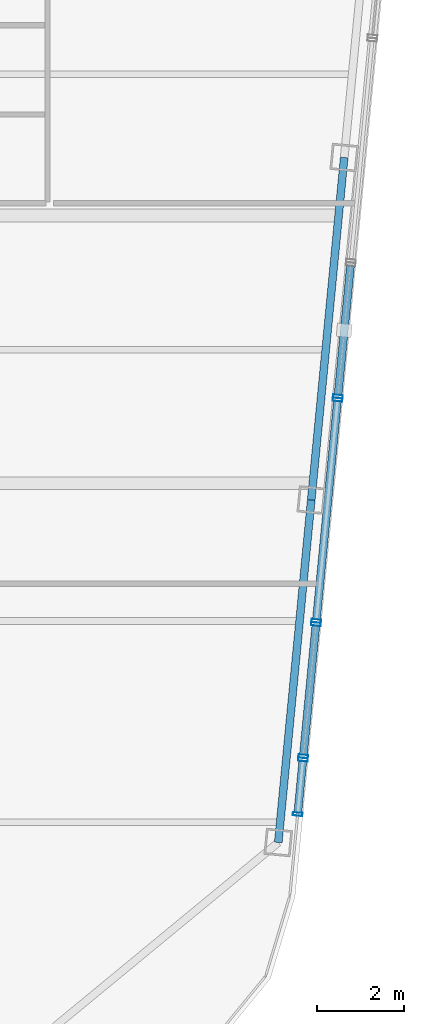
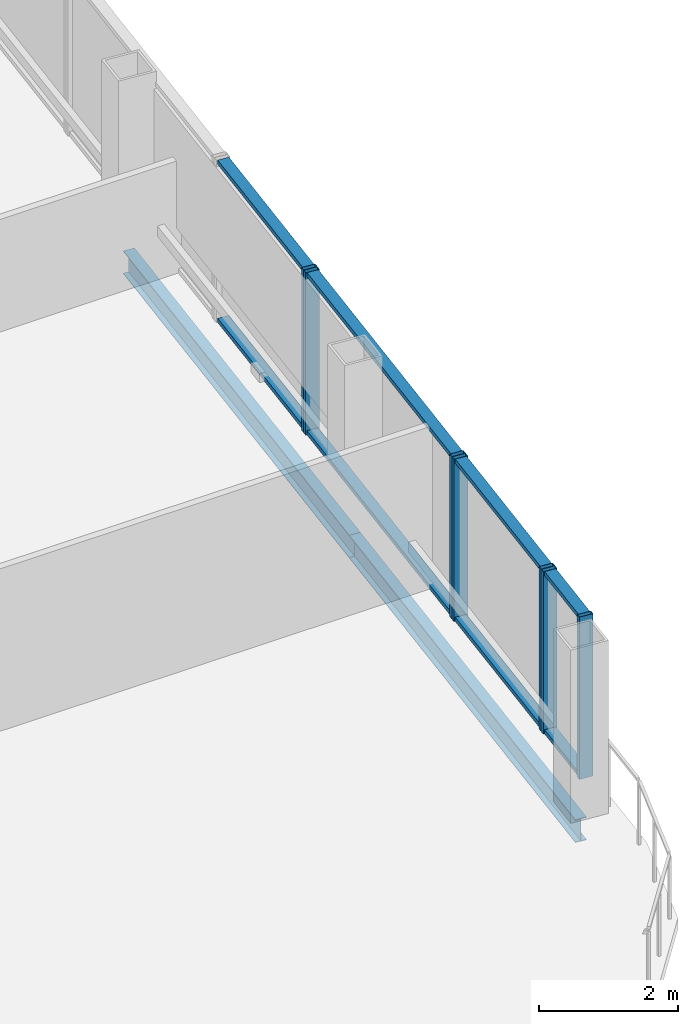
# One storey, part 13 of 26: 15 members, 2 beams, 4 elements without a shape of their own.
"""IFC4 building model written with IfcOpenShell, lengths in metres."""

from ifc_helpers import new_model, si_unit, direction, frame, origin, origin_2d, place, context, subcontext, project, spatial, hollow_rectangle, i_section, extrude, material, layer, layer_set, material_profile, profile_set, type_object, element, aggregate, save


model = new_model("IFC4")

# Units and contexts
model_context = context("Model", 3, precision=1e-05, world=origin(), true_north=direction((0.0, 1.0)))
body_context = subcontext(model_context, "Body", "Model", "MODEL_VIEW")
ifc_project = project(units=[si_unit("LENGTHUNIT", "METRE"), si_unit("AREAUNIT", "SQUARE_METRE"), si_unit("VOLUMEUNIT", "CUBIC_METRE"), si_unit("PLANEANGLEUNIT", "RADIAN"), si_unit("MASSUNIT", "GRAM", prefix="KILO")], contexts=[model_context])

# Site, building, storey
site_placement = place(None, origin())
site = spatial("IfcSite", under=ifc_project, at=site_placement, CompositionType="ELEMENT")
building_placement = place(site_placement, origin())
building = spatial("IfcBuilding", under=site, at=building_placement, Name="Qhalaya Broadcast Tower", CompositionType="ELEMENT")
storey_placement = place(building_placement, frame((0.0, 0.0, 248.949951171875)))
storey = spatial("IfcBuildingStorey", under=building, at=storey_placement, Name="L73", CompositionType="ELEMENT", Elevation=248.949951171875)

# Curtain wall, members
ifc_material_1 = material(Name="Fired Architectural Terracotta", Category="masonry")
ifc_layer_1 = layer(ifc_material_1, 0.219970703125, Name="Fired Architectural Terracotta")
ifc_layer_set_1 = layer_set([ifc_layer_1], Name="Fired Architectural Terracotta")
curtain_wall_type_1 = type_object("IfcCurtainWallType", Name="Block-Cap Unitised Terracotta Spandrel Wall CW-07", PredefinedType="NOTDEFINED", material=ifc_layer_set_1)
curtain_wall_1_placement = place(storey_placement, origin())
curtain_wall_1 = element("IfcCurtainWall", 1, at=curtain_wall_1_placement, inside=storey, type_object=curtain_wall_type_1, Name="L73 Unitised Curtain Wall L73-CW-E1", PredefinedType="NOTDEFINED")
ifc_material_2 = material(Name="Anodised Aluminium 6063-T6", Category="aluminium")
ifc_material_profile_1 = material_profile(ifc_material_2, hollow_rectangle(XDim=0.074951171875, YDim=0.219970703125, WallThickness=0.00390625, at=origin_2d()), Name="ALU-MUL 75x220x4")
ifc_profile_set_1 = profile_set([ifc_material_profile_1], Name="Anodised Aluminium 6063-T6")
member_type_1 = type_object("IfcMemberType", Name="Unitised Curtain-Wall Mullion M01", PredefinedType="MULLION", material=ifc_profile_set_1)
member_1_placement = place(storey_placement, frame((20.272705078125, -16.315185546875, 0.0), z_axis=(0.0, 0.0, 1.0), x_axis=(0.095857322215, 0.995395084264, 0.0)))
member_1 = element("IfcMember", 2, at=member_1_placement, type_object=member_type_1, Name="CW-07 mullion 1", PredefinedType="MULLION", context=body_context, shape_type="SweptSolid", body=[
    extrude(hollow_rectangle(XDim=0.074951171875, YDim=0.219970703125, WallThickness=0.00390625, at=origin_2d()), origin(), (0.0, 0.0, 1.0), 2.860107421875),
])
member_2_placement = place(storey_placement, frame((20.392822265625, -15.06787109375, 0.0), z_axis=(0.0, 0.0, 1.0), x_axis=(0.095857322215, 0.995395084264, 0.0)))
member_2 = element("IfcMember", 3, at=member_2_placement, type_object=member_type_1, Name="CW-07 mullion 2", PredefinedType="MULLION", context=body_context, shape_type="SweptSolid", body=[
    extrude(hollow_rectangle(XDim=0.074951171875, YDim=0.219970703125, WallThickness=0.00390625, at=origin_2d()), origin(), (0.0, 0.0, 1.0), 2.860107421875),
])

ifc_material_3 = material(Name="Solar-Control Low-E Triple Glazing", Category="glass")
ifc_layer_2 = layer(ifc_material_3, 0.219970703125, Name="Solar-Control Low-E Triple Glazing")
ifc_layer_set_2 = layer_set([ifc_layer_2], Name="Solar-Control Low-E Triple Glazing")
curtain_wall_type_2 = type_object("IfcCurtainWallType", Name="High-Altitude Upper-Shaft Triple Low-E Curtain Wall CW-04", PredefinedType="NOTDEFINED", material=ifc_layer_set_2)
curtain_wall_2_placement = place(storey_placement, origin())
curtain_wall_2 = element("IfcCurtainWall", 4, at=curtain_wall_2_placement, inside=storey, type_object=curtain_wall_type_2, Name="L73 Unitised Curtain Wall L73-CW-E2", PredefinedType="NOTDEFINED")
member_3_placement = place(storey_placement, frame((20.39990234375, -14.9931640625, 0.0), z_axis=(0.0, 0.0, 1.0), x_axis=(0.095851485016, 0.995395646374, 0.0)))
member_3 = element("IfcMember", 5, at=member_3_placement, type_object=member_type_1, Name="CW-04 mullion 1", PredefinedType="MULLION", context=body_context, shape_type="SweptSolid", body=[
    extrude(hollow_rectangle(XDim=0.074951171875, YDim=0.219970703125, WallThickness=0.00390625, at=origin_2d()), origin(), (0.0, 0.0, 1.0), 2.860107421875),
])
member_4_placement = place(storey_placement, frame((20.69091796875, -11.97216796875, 0.0), z_axis=(0.0, 0.0, 1.0), x_axis=(0.095851485016, 0.995395646374, 0.0)))
member_4 = element("IfcMember", 6, at=member_4_placement, type_object=member_type_1, Name="CW-04 mullion 2", PredefinedType="MULLION", context=body_context, shape_type="SweptSolid", body=[
    extrude(hollow_rectangle(XDim=0.074951171875, YDim=0.219970703125, WallThickness=0.00390625, at=origin_2d()), origin(), (0.0, 0.0, 1.0), 2.860107421875),
])

curtain_wall_3_placement = place(storey_placement, origin())
curtain_wall_3 = element("IfcCurtainWall", 7, at=curtain_wall_3_placement, inside=storey, type_object=curtain_wall_type_1, Name="L73 Unitised Curtain Wall L73-CW-E3", PredefinedType="NOTDEFINED")
member_5_placement = place(storey_placement, frame((20.697998046875, -11.8974609375, 0.0), z_axis=(0.0, 0.0, 1.0), x_axis=(0.095851335452, 0.995395660776, 0.0)))
member_5 = element("IfcMember", 8, at=member_5_placement, type_object=member_type_1, Name="CW-07 mullion 1", PredefinedType="MULLION", context=body_context, shape_type="SweptSolid", body=[
    extrude(hollow_rectangle(XDim=0.074951171875, YDim=0.219970703125, WallThickness=0.00390625, at=origin_2d()), origin(), (0.0, 0.0, 1.0), 2.860107421875),
])
member_6_placement = place(storey_placement, frame((21.18505859375, -6.8388671875, 0.0), z_axis=(0.0, 0.0, 1.0), x_axis=(0.095851335452, 0.995395660776, 0.0)))
member_6 = element("IfcMember", 9, at=member_6_placement, type_object=member_type_1, Name="CW-07 mullion 2", PredefinedType="MULLION", context=body_context, shape_type="SweptSolid", body=[
    extrude(hollow_rectangle(XDim=0.074951171875, YDim=0.219970703125, WallThickness=0.00390625, at=origin_2d()), origin(), (0.0, 0.0, 1.0), 2.860107421875),
])

# Curtain wall, member
curtain_wall_4_placement = place(storey_placement, origin())
curtain_wall_4 = element("IfcCurtainWall", 10, at=curtain_wall_4_placement, inside=storey, type_object=curtain_wall_type_2, Name="L73 Unitised Curtain Wall L73-CW-E4", PredefinedType="NOTDEFINED")
member_7_placement = place(storey_placement, frame((21.1923828125, -6.76416015625, 0.0), z_axis=(0.0, 0.0, 1.0), x_axis=(0.095819626155, 0.995398713704, 0.0)))
member_7 = element("IfcMember", 11, at=member_7_placement, type_object=member_type_1, Name="CW-04 mullion 1", PredefinedType="MULLION", context=body_context, shape_type="SweptSolid", body=[
    extrude(hollow_rectangle(XDim=0.074951171875, YDim=0.219970703125, WallThickness=0.00390625, at=origin_2d()), origin(), (0.0, 0.0, 1.0), 2.860107421875),
])

# Member
ifc_material_profile_2 = material_profile(ifc_material_2, hollow_rectangle(XDim=0.074951171875, YDim=0.179931640625, WallThickness=0.00390625, at=origin_2d()), Name="ALU-TRN 75x180x4")
ifc_profile_set_2 = profile_set([ifc_material_profile_2], Name="Anodised Aluminium 6063-T6")
member_type_2 = type_object("IfcMemberType", Name="Unitised Curtain-Wall Transom T01", PredefinedType="USERDEFINED", material=ifc_profile_set_2)
member_8_placement = place(storey_placement, frame((20.276123046875, -16.27783203125, 0.03759765625), z_axis=(0.095953288152, 0.995385838001, 0.0), x_axis=(0.0, 0.0, 1.0)))
member_8 = element("IfcMember", 12, at=member_8_placement, type_object=member_type_2, Name="CW-07 transom 1.1", ObjectType="TRANSOM", PredefinedType="USERDEFINED", context=body_context, shape_type="SweptSolid", body=[
    extrude(hollow_rectangle(XDim=0.074951171875, YDim=0.179931640625, WallThickness=0.00390625, at=origin_2d()), origin(), (0.0, 0.0, 1.0), 1.177978515625),
])

member_9_placement = place(storey_placement, frame((20.276123046875, -16.27783203125, 2.822509765625), z_axis=(0.095953288152, 0.995385838001, 0.0), x_axis=(0.0, 0.0, 1.0)))
member_9 = element("IfcMember", 13, at=member_9_placement, type_object=member_type_2, Name="CW-07 transom 1.2", ObjectType="TRANSOM", PredefinedType="USERDEFINED", context=body_context, shape_type="SweptSolid", body=[
    extrude(hollow_rectangle(XDim=0.074951171875, YDim=0.179931640625, WallThickness=0.00390625, at=origin_2d()), origin(), (0.0, 0.0, 1.0), 1.177978515625),
])

aggregate(curtain_wall_1, [member_1, member_2, member_8, member_9])

member_10_placement = place(storey_placement, frame((20.403564453125, -14.955810546875, 0.03759765625), z_axis=(0.095844425832, 0.995396326112, 0.0), x_axis=(0.0, 0.0, 1.0)))
member_10 = element("IfcMember", 14, at=member_10_placement, type_object=member_type_2, Name="CW-04 transom 1.1", ObjectType="TRANSOM", PredefinedType="USERDEFINED", context=body_context, shape_type="SweptSolid", body=[
    extrude(hollow_rectangle(XDim=0.074951171875, YDim=0.179931640625, WallThickness=0.00390625, at=origin_2d()), origin(), (0.0, 0.0, 1.0), 2.9599609375),
])

member_11_placement = place(storey_placement, frame((20.403564453125, -14.955810546875, 2.822509765625), z_axis=(0.095844425832, 0.995396326112, 0.0), x_axis=(0.0, 0.0, 1.0)))
member_11 = element("IfcMember", 15, at=member_11_placement, type_object=member_type_2, Name="CW-04 transom 1.2", ObjectType="TRANSOM", PredefinedType="USERDEFINED", context=body_context, shape_type="SweptSolid", body=[
    extrude(hollow_rectangle(XDim=0.074951171875, YDim=0.179931640625, WallThickness=0.00390625, at=origin_2d()), origin(), (0.0, 0.0, 1.0), 2.9599609375),
])

aggregate(curtain_wall_2, [member_3, member_4, member_10, member_11])

member_12_placement = place(storey_placement, frame((20.70166015625, -11.860107421875, 0.03759765625), z_axis=(0.095814608675, 0.995399196687, 0.0), x_axis=(0.0, 0.0, 1.0)))
member_12 = element("IfcMember", 16, at=member_12_placement, type_object=member_type_2, Name="CW-07 transom 1.1", ObjectType="TRANSOM", PredefinedType="USERDEFINED", context=body_context, shape_type="SweptSolid", body=[
    extrude(hollow_rectangle(XDim=0.074951171875, YDim=0.179931640625, WallThickness=0.00390625, at=origin_2d()), origin(), (0.0, 0.0, 1.0), 5.0068359375),
])

member_13_placement = place(storey_placement, frame((20.70166015625, -11.860107421875, 2.822509765625), z_axis=(0.095814608675, 0.995399196687, 0.0), x_axis=(0.0, 0.0, 1.0)))
member_13 = element("IfcMember", 17, at=member_13_placement, type_object=member_type_2, Name="CW-07 transom 1.2", ObjectType="TRANSOM", PredefinedType="USERDEFINED", context=body_context, shape_type="SweptSolid", body=[
    extrude(hollow_rectangle(XDim=0.074951171875, YDim=0.179931640625, WallThickness=0.00390625, at=origin_2d()), origin(), (0.0, 0.0, 1.0), 5.0068359375),
])

aggregate(curtain_wall_3, [member_5, member_6, member_12, member_13])

member_14_placement = place(storey_placement, frame((21.19580078125, -6.72705078125, 0.03759765625), z_axis=(0.095836557401, 0.995397083714, 0.0), x_axis=(0.0, 0.0, 1.0)))
member_14 = element("IfcMember", 18, at=member_14_placement, type_object=member_type_2, Name="CW-04 transom 1.1", ObjectType="TRANSOM", PredefinedType="USERDEFINED", context=body_context, shape_type="SweptSolid", body=[
    extrude(hollow_rectangle(XDim=0.074951171875, YDim=0.179931640625, WallThickness=0.00390625, at=origin_2d()), origin(), (0.0, 0.0, 1.0), 2.960205078125),
])

member_15_placement = place(storey_placement, frame((21.19580078125, -6.72705078125, 2.822509765625), z_axis=(0.095836557401, 0.995397083714, 0.0), x_axis=(0.0, 0.0, 1.0)))
member_15 = element("IfcMember", 19, at=member_15_placement, type_object=member_type_2, Name="CW-04 transom 1.2", ObjectType="TRANSOM", PredefinedType="USERDEFINED", context=body_context, shape_type="SweptSolid", body=[
    extrude(hollow_rectangle(XDim=0.074951171875, YDim=0.179931640625, WallThickness=0.00390625, at=origin_2d()), origin(), (0.0, 0.0, 1.0), 2.960205078125),
])

aggregate(curtain_wall_4, [member_7, member_14, member_15])

# Beams
ifc_material_4 = material(Name="Structural Steel ASTM A992 Grade 50", Category="steel")
ifc_material_profile_3 = material_profile(ifc_material_4, i_section(OverallWidth=0.177978515625, OverallDepth=0.406005859375, WebThickness=0.0078125, FlangeThickness=0.0126953125, at=origin_2d()), Name="W16X40")
ifc_profile_set_3 = profile_set([ifc_material_profile_3], Name="Structural Steel ASTM A992 Grade 50")
beam_type = type_object("IfcBeamType", Name="Upper Perimeter Spandrel Beam SP2", PredefinedType="SPANDREL", material=ifc_profile_set_3)
beam_1_placement = place(storey_placement, frame((19.82861328125, -16.962890625, -0.39306640625), z_axis=(0.095837184179, 0.995397023367, 0.0), x_axis=(-0.995397023367, 0.095837184179, 0.0)))
element("IfcBeam", 20, at=beam_1_placement, inside=storey, type_object=beam_type, Name="L73 SP2 L73-SPR-05", PredefinedType="SPANDREL", context=body_context, shape_type="SweptSolid", body=[
    extrude(i_section(OverallWidth=0.177978515625, OverallDepth=0.406005859375, WebThickness=0.0078125, FlangeThickness=0.0126953125, at=origin_2d()), origin(), (0.0, 0.0, 1.0), 7.866455078125),
])
beam_2_placement = place(storey_placement, frame((20.58251953125, -9.132568359375, -0.39306640625), z_axis=(0.095834223619, 0.995397308407, 0.0), x_axis=(-0.995397308407, 0.095834223619, 0.0)))
element("IfcBeam", 21, at=beam_2_placement, inside=storey, type_object=beam_type, Name="L73 SP2 L73-SPR-06", PredefinedType="SPANDREL", context=body_context, shape_type="SweptSolid", body=[
    extrude(i_section(OverallWidth=0.177978515625, OverallDepth=0.406005859375, WebThickness=0.0078125, FlangeThickness=0.0126953125, at=origin_2d()), origin(), (0.0, 0.0, 1.0), 7.86669921875),
])

save(model, "model.ifc")
